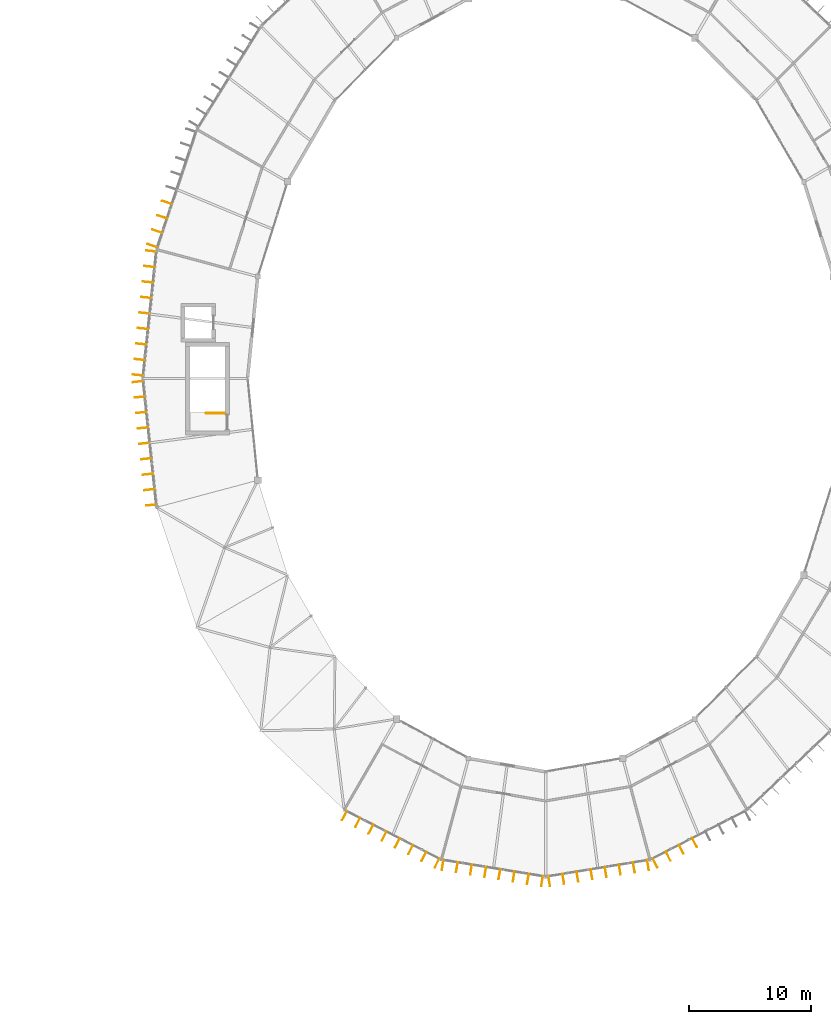
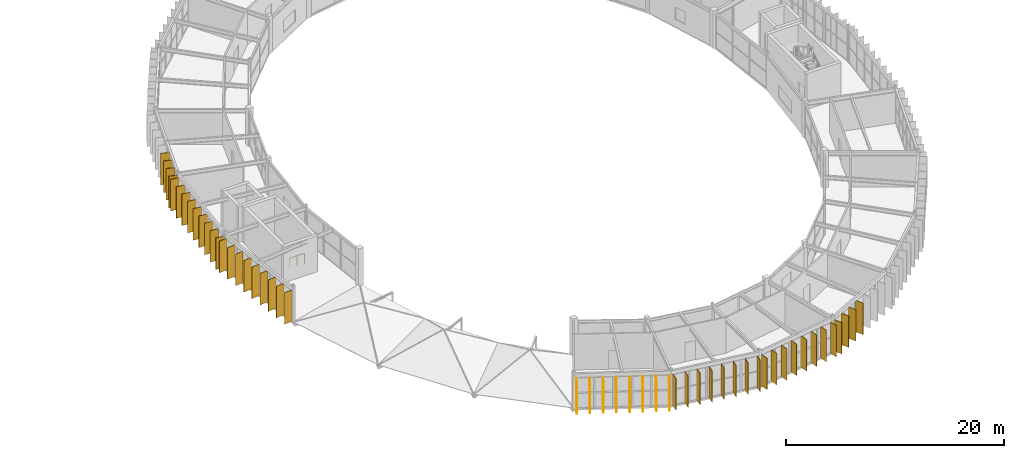
# One storey, part 99 of 106: 50 shading devices, 1 railing.
"""IFC4 building model written with IfcOpenShell, lengths in metres."""

from ifc_helpers import new_model, si_unit, direction, frame, origin, origin_2d, place, context, subcontext, project, spatial, rectangle, circle, extrude, material, layer, layer_set, type_object, element, save


model = new_model("IFC4")

# Units and contexts
model_context = context("Model", 3, precision=1e-05, world=origin(), true_north=direction((0.0, 1.0)))
body_context = subcontext(model_context, "Body", "Model", "MODEL_VIEW")
ifc_project = project(units=[si_unit("LENGTHUNIT", "METRE"), si_unit("AREAUNIT", "SQUARE_METRE"), si_unit("VOLUMEUNIT", "CUBIC_METRE"), si_unit("PLANEANGLEUNIT", "RADIAN"), si_unit("MASSUNIT", "GRAM", prefix="KILO")], contexts=[model_context])

# Site, building, storey
site_placement = place(None, origin())
site = spatial("IfcSite", under=ifc_project, at=site_placement, CompositionType="ELEMENT")
building_placement = place(site_placement, origin())
building = spatial("IfcBuilding", under=site, at=building_placement, Name="Karori Crest Natural Sciences Institute", CompositionType="ELEMENT")
storey_placement = place(building_placement, frame((0.0, 0.0, 25.89990234375)))
storey = spatial("IfcBuildingStorey", under=building, at=storey_placement, Name="L06", CompositionType="ELEMENT", Elevation=25.89990234375)

# Railing
ifc_material_1 = material(Name="Stainless steel 316 stair guard", Category="steel")
railing_type = type_object("IfcRailingType", Name="RLT-STG", PredefinedType="GUARDRAIL", material=ifc_material_1)
railing_placement = place(storey_placement, frame((40.14990234375, 47.050048828125, 0.0)))
element("IfcRailing", 1, at=railing_placement, inside=storey, type_object=railing_type, Name="Stair top well guard RL-0092", PredefinedType="GUARDRAIL", context=body_context, shape_type="SweptSolid", body=[
    extrude(circle(Radius=0.02392578125, at=origin_2d()), frame((0.0, 0.0, 1.076171875), z_axis=(-1.0, 0.0, 0.0), x_axis=(0.0, -1.0, 0.0)), (0.0, 0.0, 1.0), 1.5498046875),
    extrude(circle(Radius=0.02099609375, at=origin_2d()), origin(), (0.0, 0.0, 1.0), 1.052001953125),
    extrude(circle(Radius=0.02099609375, at=origin_2d()), frame((-0.77490234375, 0.0, 0.0)), (0.0, 0.0, 1.0), 1.052001953125),
    extrude(circle(Radius=0.02099609375, at=origin_2d()), frame((-1.5498046875, 0.0, 0.0)), (0.0, 0.0, 1.0), 1.052001953125),
])

# Shading devices
ifc_material_2 = material(Name="Anodised architectural aluminium 6063-T6", Category="aluminium")
ifc_layer = layer(ifc_material_2, 0.044921875, Name="Anodised architectural aluminium 6063-T6")
ifc_layer_set = layer_set([ifc_layer], Name="Anodised architectural aluminium 6063-T6")
shading_device_type = type_object("IfcShadingDeviceType", Name="SDT-FIN", PredefinedType="USERDEFINED", material=ifc_layer_set)
for number, where, z_axis, x_axis, name in (
    (2, (57.5078125, 10.20947265625, 0.000244140625), (0.0, 0.0, 1.0), (-0.455829213737, -0.890067260326, 0.0), "Vertical solar fin FN-1021"),
    (3, (56.425048828125, 10.763916015625, 0.000244140625), (0.0, 0.0, 1.0), (-0.455829213737, -0.890067260326, 0.0), "Vertical solar fin FN-1022"),
    (4, (55.342041015625, 11.318603515625, 0.000244140625), (0.0, 0.0, 1.0), (-0.455829213737, -0.890067260326, 0.0), "Vertical solar fin FN-1023"),
    (5, (54.259033203125, 11.873291015625, 0.000244140625), (0.0, 0.0, 1.0), (-0.455829213737, -0.890067260326, 0.0), "Vertical solar fin FN-1024"),
    (6, (53.176025390625, 12.427734375, 0.000244140625), (0.0, 0.0, 1.0), (-0.455829213737, -0.890067260326, 0.0), "Vertical solar fin FN-1025"),
    (7, (52.09326171875, 12.982421875, 0.000244140625), (0.0, 0.0, 1.0), (-0.455829213737, -0.890067260326, 0.0), "Vertical solar fin FN-1026"),
    (8, (51.01025390625, 13.537109375, 0.000244140625), (0.0, 0.0, 1.0), (-0.455829213737, -0.890067260326, 0.0), "Vertical solar fin FN-1027"),
    (9, (49.92724609375, 14.091552734375, 0.000244140625), (0.0, 0.0, 1.0), (-0.455829213737, -0.890067260326, 0.0), "Vertical solar fin FN-1028"),
    (10, (66.109375, 8.73193359375, 0.000244140625), (0.0, 0.0, 1.0), (-0.160654710652, -0.987010670634, 0.0), "Vertical solar fin FN-1029"),
    (11, (64.9462890625, 8.921142578125, 0.000244140625), (0.0, 0.0, 1.0), (-0.160654710652, -0.987010670634, 0.0), "Vertical solar fin FN-1030"),
    (12, (63.782958984375, 9.110595703125, 0.000244140625), (0.0, 0.0, 1.0), (-0.160654710652, -0.987010670634, 0.0), "Vertical solar fin FN-1031"),
    (13, (62.61962890625, 9.2998046875, 0.000244140625), (0.0, 0.0, 1.0), (-0.160654710652, -0.987010670634, 0.0), "Vertical solar fin FN-1032"),
    (14, (61.45654296875, 9.4892578125, 0.000244140625), (0.0, 0.0, 1.0), (-0.160654710652, -0.987010670634, 0.0), "Vertical solar fin FN-1033"),
    (15, (60.293212890625, 9.6787109375, 0.000244140625), (0.0, 0.0, 1.0), (-0.160654710652, -0.987010670634, 0.0), "Vertical solar fin FN-1034"),
    (16, (59.130126953125, 9.867919921875, 0.000244140625), (0.0, 0.0, 1.0), (-0.160654710652, -0.987010670634, 0.0), "Vertical solar fin FN-1035"),
    (17, (57.966796875, 10.057373046875, 0.000244140625), (0.0, 0.0, 1.0), (-0.160654710652, -0.987010670634, 0.0), "Vertical solar fin FN-1036"),
    (18, (74.783203125, 10.049072265625, 0.000244140625), (0.0, 0.0, 1.0), (0.160649542674, -0.987011511807, 0.0), "Vertical solar fin FN-1037"),
    (19, (73.626953125, 9.86083984375, 0.000244140625), (0.0, 0.0, 1.0), (0.160649542674, -0.987011511807, 0.0), "Vertical solar fin FN-1038"),
    (20, (72.470947265625, 9.672607421875, 0.000244140625), (0.0, 0.0, 1.0), (0.160649542674, -0.987011511807, 0.0), "Vertical solar fin FN-1039"),
    (21, (71.31494140625, 9.484619140625, 0.000244140625), (0.0, 0.0, 1.0), (0.160649542674, -0.987011511807, 0.0), "Vertical solar fin FN-1040"),
    (22, (70.15869140625, 9.29638671875, 0.000244140625), (0.0, 0.0, 1.0), (0.160649542674, -0.987011511807, 0.0), "Vertical solar fin FN-1041"),
    (23, (69.002685546875, 9.108154296875, 0.000244140625), (0.0, 0.0, 1.0), (0.160649542674, -0.987011511807, 0.0), "Vertical solar fin FN-1042"),
    (24, (67.8466796875, 8.920166015625, 0.000244140625), (0.0, 0.0, 1.0), (0.160649542674, -0.987011511807, 0.0), "Vertical solar fin FN-1043"),
    (25, (66.690673828125, 8.73193359375, 0.000244140625), (0.0, 0.0, 1.0), (0.160649542674, -0.987011511807, 0.0), "Vertical solar fin FN-1044"),
    (26, (78.5908203125, 11.898681640625, 0.000244140625), (0.0, 0.0, 1.0), (0.455829213737, -0.890067260326, 0.0), "Vertical solar fin FN-1049"),
    (27, (77.508056640625, 11.34423828125, 0.000244140625), (0.0, 0.0, 1.0), (0.455829213737, -0.890067260326, 0.0), "Vertical solar fin FN-1050"),
    (28, (76.425048828125, 10.78955078125, 0.000244140625), (0.0, 0.0, 1.0), (0.455829213737, -0.890067260326, 0.0), "Vertical solar fin FN-1051"),
    (29, (75.342041015625, 10.235107421875, 0.000244140625), (0.0, 0.0, 1.0), (0.455829213737, -0.890067260326, 0.0), "Vertical solar fin FN-1052"),
    (30, (34.19384765625, 60.763916015625, 0.000244140625), (0.0, 0.0, 1.0), (-0.948197867933, 0.317680347595, 0.0), "Vertical solar fin FN-1172"),
    (31, (34.589599609375, 61.94482421875, 0.000244140625), (0.0, 0.0, 1.0), (-0.948197867933, 0.317680347595, 0.0), "Vertical solar fin FN-1173"),
    (32, (34.985107421875, 63.12548828125, 0.000244140625), (0.0, 0.0, 1.0), (-0.948197867933, 0.317680347595, 0.0), "Vertical solar fin FN-1174"),
    (33, (35.380615234375, 64.306396484375, 0.000244140625), (0.0, 0.0, 1.0), (-0.948197867933, 0.317680347595, 0.0), "Vertical solar fin FN-1175"),
    (34, (33.0166015625, 50.1708984375, 0.000244140625), (0.0, 0.0, 1.0), (-0.994378303702, 0.105885736186, 0.0), "Vertical solar fin FN-1181"),
    (35, (33.151611328125, 51.440185546875, 0.000244140625), (0.0, 0.0, 1.0), (-0.994378303702, 0.105885736186, 0.0), "Vertical solar fin FN-1182"),
    (36, (33.286865234375, 52.709228515625, 0.000244140625), (0.0, 0.0, 1.0), (-0.994378303702, 0.105885736186, 0.0), "Vertical solar fin FN-1183"),
    (37, (33.422119140625, 53.978515625, 0.000244140625), (0.0, 0.0, 1.0), (-0.994378303702, 0.105885736186, 0.0), "Vertical solar fin FN-1184"),
    (38, (33.55712890625, 55.247802734375, 0.000244140625), (0.0, 0.0, 1.0), (-0.994378303702, 0.105885736186, 0.0), "Vertical solar fin FN-1185"),
    (39, (33.6923828125, 56.51708984375, 0.000244140625), (0.0, 0.0, 1.0), (-0.994378303702, 0.105885736186, 0.0), "Vertical solar fin FN-1186"),
    (40, (33.827392578125, 57.7861328125, 0.000244140625), (0.0, 0.0, 1.0), (-0.994378303702, 0.105885736186, 0.0), "Vertical solar fin FN-1187"),
    (41, (33.962646484375, 59.055419921875, 0.000244140625), (0.0, 0.0, 1.0), (-0.994378303702, 0.105885736186, 0.0), "Vertical solar fin FN-1188"),
    (42, (34.09765625, 60.32470703125, 0.000244140625), (0.0, 0.0, 1.0), (-0.994378303702, 0.105885736186, 0.0), "Vertical solar fin FN-1189"),
    (43, (34.0927734375, 39.521240234375, 0.000244140625), (0.0, 0.0, 1.0), (-0.994378488506, -0.105884000668, 0.0), "Vertical solar fin FN-1190"),
    (44, (33.958251953125, 40.78466796875, 0.000244140625), (0.0, 0.0, 1.0), (-0.994378488506, -0.105884000668, 0.0), "Vertical solar fin FN-1191"),
    (45, (33.82373046875, 42.048095703125, 0.000244140625), (0.0, 0.0, 1.0), (-0.994378488506, -0.105884000668, 0.0), "Vertical solar fin FN-1192"),
    (46, (33.689208984375, 43.311767578125, 0.000244140625), (0.0, 0.0, 1.0), (-0.994378488506, -0.105884000668, 0.0), "Vertical solar fin FN-1193"),
    (47, (33.5546875, 44.5751953125, 0.000244140625), (0.0, 0.0, 1.0), (-0.994378488506, -0.105884000668, 0.0), "Vertical solar fin FN-1194"),
    (48, (33.420166015625, 45.838623046875, 0.000244140625), (0.0, 0.0, 1.0), (-0.994378488506, -0.105884000668, 0.0), "Vertical solar fin FN-1195"),
    (49, (33.28564453125, 47.102294921875, 0.000244140625), (0.0, 0.0, 1.0), (-0.994378488506, -0.105884000668, 0.0), "Vertical solar fin FN-1196"),
    (50, (33.15087890625, 48.36572265625, 0.000244140625), (0.0, 0.0, 1.0), (-0.994378488506, -0.105884000668, 0.0), "Vertical solar fin FN-1197"),
    (51, (33.0166015625, 49.629150390625, 0.000244140625), (0.0, 0.0, 1.0), (-0.994378488506, -0.105884000668, 0.0), "Vertical solar fin FN-1198"),
):
    element("IfcShadingDevice", number, at=place(storey_placement, frame(where, z_axis=z_axis, x_axis=x_axis)), inside=storey, type_object=shading_device_type, Name=name, ObjectType="SOLAR_FIN", PredefinedType="USERDEFINED", context=body_context, shape_type="SweptSolid", body=[
        extrude(rectangle(XDim=0.85009765625, YDim=0.044921875, at=origin_2d()), origin(), (0.0, 0.0, 1.0), 3.52490234375),
    ])

save(model, "model.ifc")
